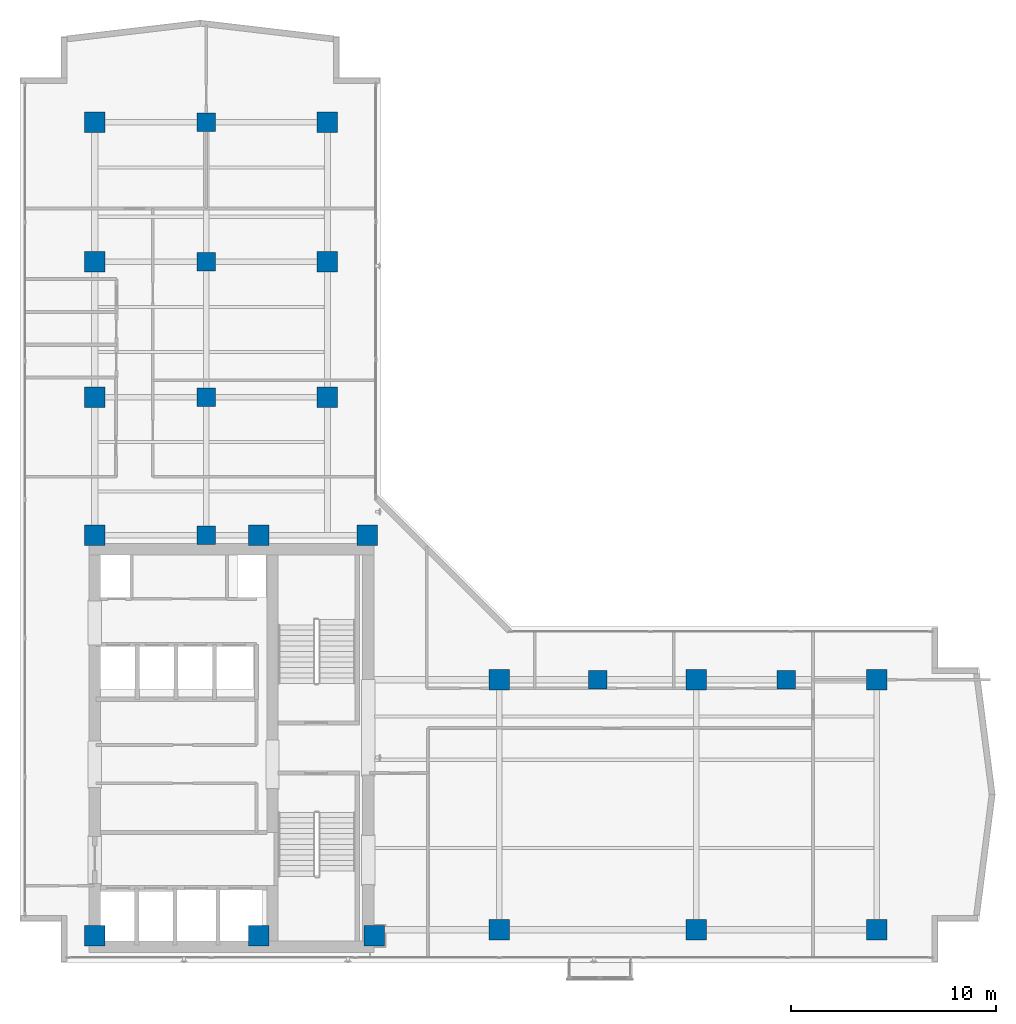
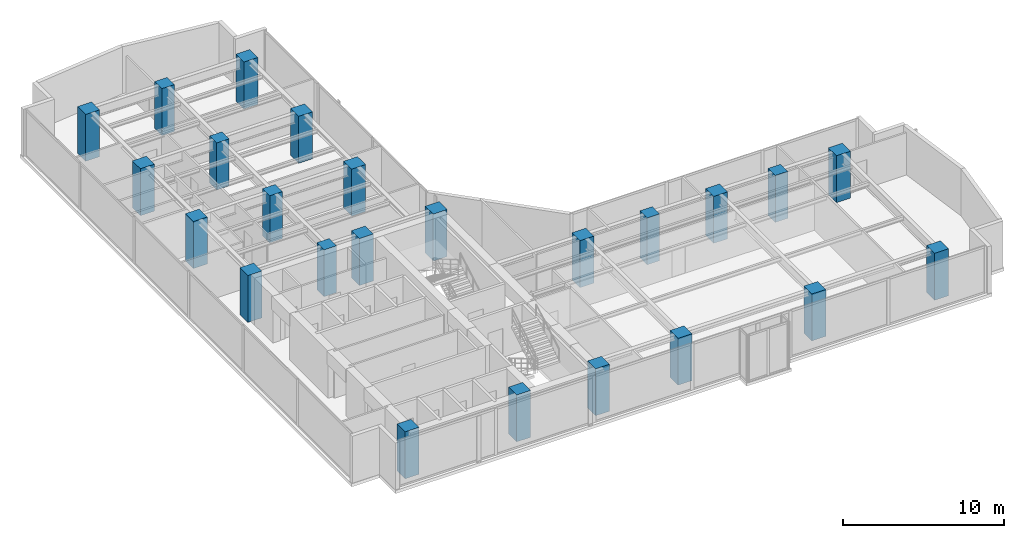
# One storey, part 1 of 23: 24 columns.
"""IFC4 building model written with IfcOpenShell, lengths in metres."""

from ifc_helpers import new_model, si_unit, direction, frame, origin, origin_2d, place, context, subcontext, project, spatial, rectangle, extrude, material, material_profile, profile_set, type_object, element, save


model = new_model("IFC4")

# Units and contexts
model_context = context("Model", 3, precision=1e-05, world=origin(), true_north=direction((0.0, 1.0)))
body_context = subcontext(model_context, "Body", "Model", "MODEL_VIEW")
ifc_project = project(units=[si_unit("LENGTHUNIT", "METRE"), si_unit("AREAUNIT", "SQUARE_METRE"), si_unit("VOLUMEUNIT", "CUBIC_METRE"), si_unit("PLANEANGLEUNIT", "RADIAN"), si_unit("MASSUNIT", "GRAM", prefix="KILO")], contexts=[model_context])

# Site, building, storey
site_placement = place(None, origin())
site = spatial("IfcSite", under=ifc_project, at=site_placement, CompositionType="ELEMENT")
building_placement = place(site_placement, origin())
building = spatial("IfcBuilding", under=site, at=building_placement, Name="Kolvaren Waterfront Exchange", CompositionType="ELEMENT")
storey_placement = place(building_placement, frame((0.0, 0.0, 250.10009765625)))
storey = spatial("IfcBuildingStorey", under=building, at=storey_placement, Name="L64", CompositionType="ELEMENT", Elevation=250.10009765625)

# Columns
ifc_material = material(Name="Concrete C50/60", Category="concrete")
ifc_material_profile_1 = material_profile(ifc_material, rectangle(XDim=1.0, YDim=1.0, at=origin_2d()), Name="RC-COL-1000x1000")
ifc_profile_set_1 = profile_set([ifc_material_profile_1], Name="Concrete C50/60")
column_type_1 = type_object("IfcColumnType", Name="STR-COL-1000-C50", PredefinedType="COLUMN", material=ifc_profile_set_1)
for number, where, z_axis, x_axis, name in (
    (1, (7.449951171875, 4.89990234375, 0.0), (0.0, 0.0, 1.0), (1.0, 0.0, 0.0), "L64 column MC01"),
    (2, (15.449951171875, 4.89990234375, 0.0), (0.0, 0.0, 1.0), (1.0, 0.0, 0.0), "L64 column MC02"),
    (3, (21.10009765625, 4.89990234375, 0.0), (0.0, 0.0, 1.0), (1.0, 0.0, 0.0), "L64 column MC03"),
    (4, (7.449951171875, 24.449951171875, 0.0), (0.0, 0.0, 1.0), (1.0, 0.0, 0.0), "L64 column MC04"),
    (5, (15.449951171875, 24.449951171875, 0.0), (0.0, 0.0, 1.0), (1.0, 0.0, 0.0), "L64 column MC05"),
    (6, (20.75, 24.449951171875, 0.0), (0.0, 0.0, 1.0), (1.0, 0.0, 0.0), "L64 column MC06"),
    (7, (7.449951171875, 31.199951171875, 0.0), (0.0, 0.0, 1.0), (1.0, 0.0, 0.0), "L64 column NC01"),
    (8, (7.449951171875, 37.800048828125, 0.0), (0.0, 0.0, 1.0), (1.0, 0.0, 0.0), "L64 column NC02"),
    (9, (7.449951171875, 44.60009765625, 0.0), (0.0, 0.0, 1.0), (1.0, 0.0, 0.0), "L64 column NC03"),
    (10, (18.800048828125, 31.199951171875, 0.0), (0.0, 0.0, 1.0), (1.0, 0.0, 0.0), "L64 column NC04"),
    (11, (18.800048828125, 37.800048828125, 0.0), (0.0, 0.0, 1.0), (1.0, 0.0, 0.0), "L64 column NC05"),
    (12, (18.800048828125, 44.60009765625, 0.0), (0.0, 0.0, 1.0), (1.0, 0.0, 0.0), "L64 column NC06"),
    (13, (27.199951171875, 5.199951171875, 0.0), (0.0, 0.0, 1.0), (1.0, 0.0, 0.0), "L64 column EC01"),
    (14, (36.800048828125, 5.199951171875, 0.0), (0.0, 0.0, 1.0), (1.0, 0.0, 0.0), "L64 column EC02"),
    (15, (45.60009765625, 5.199951171875, 0.0), (0.0, 0.0, 1.0), (1.0, 0.0, 0.0), "L64 column EC03"),
    (16, (27.199951171875, 17.39990234375, 0.0), (0.0, 0.0, 1.0), (1.0, 0.0, 0.0), "L64 column EC04"),
    (17, (36.800048828125, 17.39990234375, 0.0), (0.0, 0.0, 1.0), (1.0, 0.0, 0.0), "L64 column EC05"),
    (18, (45.60009765625, 17.39990234375, 0.0), (0.0, 0.0, 1.0), (1.0, 0.0, 0.0), "L64 column EC06"),
):
    element("IfcColumn", number, at=place(storey_placement, frame(where, z_axis=z_axis, x_axis=x_axis)), inside=storey, type_object=column_type_1, Name=name, PredefinedType="COLUMN", context=body_context, shape_type="SweptSolid", body=[
        extrude(rectangle(XDim=1.0, YDim=1.0, at=origin_2d()), origin(), (0.0, 0.0, 1.0), 3.559814453125),
    ])
ifc_material_profile_2 = material_profile(ifc_material, rectangle(XDim=0.89990234375, YDim=0.89990234375, at=origin_2d()), Name="RC-COL-900x900")
ifc_profile_set_2 = profile_set([ifc_material_profile_2], Name="Concrete C50/60")
column_type_2 = type_object("IfcColumnType", Name="STR-COL-900-C50", PredefinedType="COLUMN", material=ifc_profile_set_2)
for number, where, z_axis, x_axis, name in (
    (19, (12.89990234375, 24.449951171875, 0.0), (0.0, 0.0, 1.0), (1.0, 0.0, 0.0), "L64 column TC01"),
    (20, (12.89990234375, 31.199951171875, 0.0), (0.0, 0.0, 1.0), (1.0, 0.0, 0.0), "L64 column TC02"),
    (21, (12.89990234375, 37.800048828125, 0.0), (0.0, 0.0, 1.0), (1.0, 0.0, 0.0), "L64 column TC03"),
    (22, (12.89990234375, 44.60009765625, 0.0), (0.0, 0.0, 1.0), (1.0, 0.0, 0.0), "L64 column TC04"),
    (23, (32.0, 17.39990234375, 0.0), (0.0, 0.0, 1.0), (1.0, 0.0, 0.0), "L64 column TC05"),
    (24, (41.199951171875, 17.39990234375, 0.0), (0.0, 0.0, 1.0), (1.0, 0.0, 0.0), "L64 column TC06"),
):
    element("IfcColumn", number, at=place(storey_placement, frame(where, z_axis=z_axis, x_axis=x_axis)), inside=storey, type_object=column_type_2, Name=name, PredefinedType="COLUMN", context=body_context, shape_type="SweptSolid", body=[
        extrude(rectangle(XDim=0.89990234375, YDim=0.89990234375, at=origin_2d()), origin(), (0.0, 0.0, 1.0), 3.559814453125),
    ])

save(model, "model.ifc")
